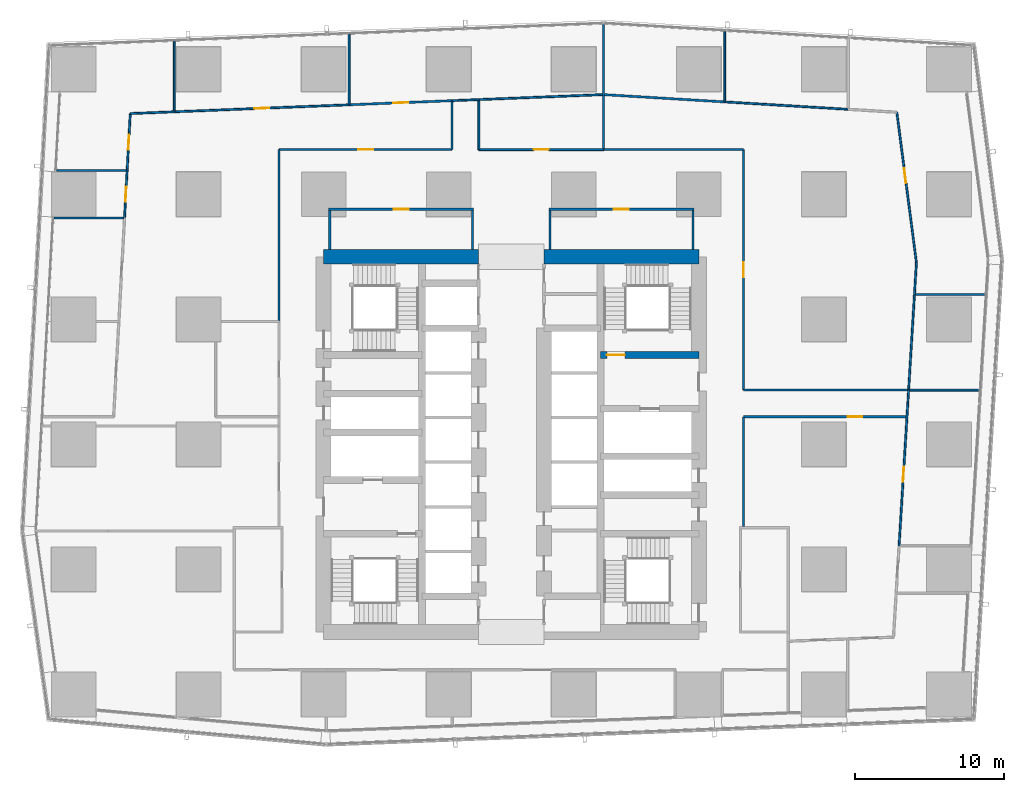
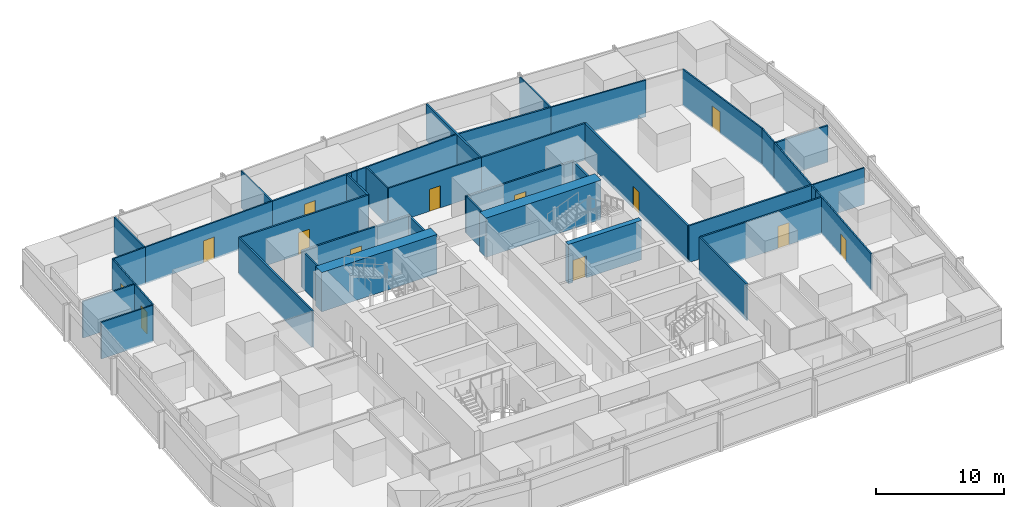
# One storey, part 31 of 39: 43 walls, 13 doors, 13 openings.
"""IFC4 building model written with IfcOpenShell, lengths in metres."""

from ifc_helpers import new_model, si_unit, direction, frame, frame_2d, origin, place, context, subcontext, project, spatial, rectangle, extrude, material, layer, layer_set, type_object, element, fill, save


model = new_model("IFC4")

# Units and contexts
model_context = context("Model", 3, precision=1e-05, world=origin(), true_north=direction((0.0, 1.0)))
body_context = subcontext(model_context, "Body", "Model", "MODEL_VIEW")
ifc_project = project(units=[si_unit("LENGTHUNIT", "METRE"), si_unit("AREAUNIT", "SQUARE_METRE"), si_unit("VOLUMEUNIT", "CUBIC_METRE"), si_unit("PLANEANGLEUNIT", "RADIAN"), si_unit("MASSUNIT", "GRAM", prefix="KILO")], contexts=[model_context])

# Site, building, storey
site_placement = place(None, origin())
site = spatial("IfcSite", under=ifc_project, at=site_placement, CompositionType="ELEMENT")
building_placement = place(site_placement, origin())
building = spatial("IfcBuilding", under=site, at=building_placement, Name="Rekha Terrace Tower", CompositionType="ELEMENT")
storey_placement = place(building_placement, frame((0.0, 0.0, 155.300048828125)))
storey = spatial("IfcBuildingStorey", under=building, at=storey_placement, Name="L39", CompositionType="ELEMENT", Elevation=155.300048828125)

# Wall, opening, door
ifc_material_1 = material(Name="Concrete M70", Category="concrete")
ifc_layer_1 = layer(ifc_material_1, 0.449951171875)
ifc_layer_set_1 = layer_set([ifc_layer_1], Name="Concrete M70")
wall_type_1 = type_object("IfcWallType", Name="CI2 450 core internal shear wall", PredefinedType="SHEAR", material=ifc_layer_set_1)
wall_1_placement = place(storey_placement, frame((43.800048828125, 39.60009765625, 0.0), z_axis=(0.0, 0.0, 1.0), x_axis=(1.0, 0.0, 0.0)))
wall_1 = element("IfcWall", 1, at=wall_1_placement, inside=storey, type_object=wall_type_1, Name="Core wall Y396E L39", PredefinedType="SHEAR", context=body_context, shape_type="SweptSolid", body=[
    extrude(rectangle(XDim=6.599853515625, YDim=0.449951171875, at=frame_2d((3.2998046875, 0.0))), origin(), (0.0, 0.0, 1.0), 3.75),
])
opening_1_placement = place(wall_1_placement, frame((0.425048828125, 0.0, 0.0)))
opening_1 = element("IfcOpeningElement", 2, at=opening_1_placement, cuts=wall_1, Name="Opening D1", PredefinedType="OPENING", context=body_context, shape_type="SweptSolid", body=[
    extrude(rectangle(XDim=1.199951171875, YDim=2.10009765625, at=frame_2d((0.60009765625, 1.050048828125))), frame((0.0, 0.23486328125, 0.0), z_axis=(0.0, -1.0, 0.0), x_axis=(1.0, 0.0, 0.0)), (0.0, 0.0, 1.0), 0.469970703125),
])
ifc_material_2 = material(Name="Steel fire door", Category="steel")
door_type_1 = type_object("IfcDoorType", Name="D1 1200x2100 stair fire door", OperationType="SINGLE_SWING_RIGHT", PredefinedType="DOOR", material=ifc_material_2)
door_1_placement = place(opening_1_placement, origin())
door_1 = element("IfcDoor", 3, at=door_1_placement, inside=storey, type_object=door_type_1, Name="Stair ST2 door L39", OperationType="SINGLE_SWING_RIGHT", OverallHeight=2.10009765625, OverallWidth=1.199951171875, PredefinedType="DOOR", context=body_context, shape_type="SweptSolid", body=[
    extrude(rectangle(XDim=1.199951171875, YDim=2.10009765625, at=frame_2d((0.60009765625, 1.050048828125))), frame((0.0, 0.02490234375, 0.0), z_axis=(0.0, -1.0, 0.0), x_axis=(1.0, 0.0, 0.0)), (0.0, 0.0, 1.0), 0.050048828125),
])
fill(opening_1, door_1)

# Walls
ifc_layer_2 = layer(ifc_material_1, 1.0)
ifc_layer_set_2 = layer_set([ifc_layer_2], Name="Concrete M70")
wall_type_2 = type_object("IfcWallType", Name="SW2 1000 core outer shear wall", PredefinedType="SHEAR", material=ifc_layer_set_2)
wall_2_placement = place(storey_placement, frame((25.199951171875, 46.199951171875, 0.0), z_axis=(0.0, 0.0, 1.0), x_axis=(1.0, 0.0, 0.0)))
element("IfcWall", 4, at=wall_2_placement, inside=storey, type_object=wall_type_2, Name="Core wall N1 L39", PredefinedType="SHEAR", context=body_context, shape_type="SweptSolid", body=[
    extrude(rectangle(XDim=10.400146484375, YDim=1.0, at=frame_2d((5.2001953125, 0.0))), origin(), (0.0, 0.0, 1.0), 3.75),
])
wall_3_placement = place(storey_placement, frame((40.0, 46.199951171875, 0.0), z_axis=(0.0, 0.0, 1.0), x_axis=(1.0, 0.0, 0.0)))
element("IfcWall", 5, at=wall_3_placement, inside=storey, type_object=wall_type_2, Name="Core wall N2 L39", PredefinedType="SHEAR", context=body_context, shape_type="SweptSolid", body=[
    extrude(rectangle(XDim=10.39990234375, YDim=1.0, at=frame_2d((5.199951171875, 0.0))), origin(), (0.0, 0.0, 1.0), 3.75),
])

# Wall, opening, door
ifc_material_3 = material(Name="Concrete block masonry, 1 hour", Category="masonry")
ifc_layer_3 = layer(ifc_material_3, 0.14990234375)
ifc_layer_set_3 = layer_set([ifc_layer_3], Name="Concrete block masonry, 1 hour")
wall_type_3 = type_object("IfcWallType", Name="WP2 150 tenancy partition", PredefinedType="PARTITIONING", material=ifc_layer_set_3)
wall_4_placement = place(storey_placement, frame((40.324951171875, 49.39990234375, 0.0), z_axis=(0.0, 0.0, 1.0), x_axis=(1.0, 0.0, 0.0)))
wall_4 = element("IfcWall", 6, at=wall_4_placement, inside=storey, type_object=wall_type_3, Name="Women's WC wall L39", PredefinedType="PARTITIONING", context=body_context, shape_type="SweptSolid", body=[
    extrude(rectangle(XDim=9.75, YDim=0.14990234375, at=frame_2d((4.875, 0.0))), origin(), (0.0, 0.0, 1.0), 3.5),
])
opening_2_placement = place(wall_4_placement, frame((4.375, 0.0, 0.0)))
opening_2 = element("IfcOpeningElement", 7, at=opening_2_placement, cuts=wall_4, Name="Opening D3", PredefinedType="OPENING", context=body_context, shape_type="SweptSolid", body=[
    extrude(rectangle(XDim=1.0, YDim=2.10009765625, at=frame_2d((0.5, 1.050048828125))), frame((0.0, 0.0849609375, 0.0), z_axis=(0.0, -1.0, 0.0), x_axis=(1.0, 0.0, 0.0)), (0.0, 0.0, 1.0), 0.169921875),
])
ifc_material_4 = material(Name="Laminated timber fire door", Category="wood")
door_type_2 = type_object("IfcDoorType", Name="D3 1000x2100 WC door", OperationType="SINGLE_SWING_LEFT", PredefinedType="DOOR", material=ifc_material_4)
door_2_placement = place(opening_2_placement, origin())
door_2 = element("IfcDoor", 8, at=door_2_placement, inside=storey, type_object=door_type_2, Name="Door women's wc L39", OperationType="SINGLE_SWING_LEFT", OverallHeight=2.10009765625, OverallWidth=1.0, PredefinedType="DOOR", context=body_context, shape_type="SweptSolid", body=[
    extrude(rectangle(XDim=1.0, YDim=2.10009765625, at=frame_2d((0.5, 1.050048828125))), frame((0.0, 0.02490234375, 0.0), z_axis=(0.0, -1.0, 0.0), x_axis=(1.0, 0.0, 0.0)), (0.0, 0.0, 1.0), 0.050048828125),
])
fill(opening_2, door_2)

# Walls
for number, where, z_axis, x_axis, name in (
    (9, (40.39990234375, 46.699951171875, 0.0), (0.0, 0.0, 1.0), (0.0, 1.0, 0.0), "Women's WC wall L39"),
    (10, (50.0, 46.699951171875, 0.0), (0.0, 0.0, 1.0), (0.0, 1.0, 0.0), "Women's WC wall L39"),
):
    element("IfcWall", number, at=place(storey_placement, frame(where, z_axis=z_axis, x_axis=x_axis)), inside=storey, type_object=wall_type_3, Name=name, PredefinedType="PARTITIONING", context=body_context, shape_type="SweptSolid", body=[
        extrude(rectangle(XDim=2.625, YDim=0.14990234375, at=frame_2d((1.3125, 0.0))), origin(), (0.0, 0.0, 1.0), 3.5),
    ])

# Wall, opening, door
wall_5_placement = place(storey_placement, frame((25.52490234375, 49.39990234375, 0.0), z_axis=(0.0, 0.0, 1.0), x_axis=(1.0, 0.0, 0.0)))
wall_5 = element("IfcWall", 11, at=wall_5_placement, inside=storey, type_object=wall_type_3, Name="Women's WC wall L39", PredefinedType="PARTITIONING", context=body_context, shape_type="SweptSolid", body=[
    extrude(rectangle(XDim=9.75, YDim=0.14990234375, at=frame_2d((4.875, 0.0))), origin(), (0.0, 0.0, 1.0), 3.5),
])
opening_3_placement = place(wall_5_placement, frame((4.375, 0.0, 0.0)))
opening_3 = element("IfcOpeningElement", 12, at=opening_3_placement, cuts=wall_5, Name="Opening D3", PredefinedType="OPENING", context=body_context, shape_type="SweptSolid", body=[
    extrude(rectangle(XDim=1.0, YDim=2.10009765625, at=frame_2d((0.5, 1.050048828125))), frame((0.0, 0.0849609375, 0.0), z_axis=(0.0, -1.0, 0.0), x_axis=(1.0, 0.0, 0.0)), (0.0, 0.0, 1.0), 0.169921875),
])
door_3_placement = place(opening_3_placement, origin())
door_3 = element("IfcDoor", 13, at=door_3_placement, inside=storey, type_object=door_type_2, Name="Door women's wc L39", OperationType="SINGLE_SWING_LEFT", OverallHeight=2.10009765625, OverallWidth=1.0, PredefinedType="DOOR", context=body_context, shape_type="SweptSolid", body=[
    extrude(rectangle(XDim=1.0, YDim=2.10009765625, at=frame_2d((0.5, 1.050048828125))), frame((0.0, 0.02490234375, 0.0), z_axis=(0.0, -1.0, 0.0), x_axis=(1.0, 0.0, 0.0)), (0.0, 0.0, 1.0), 0.050048828125),
])
fill(opening_3, door_3)

# Walls
for number, where, z_axis, x_axis, name in (
    (14, (25.60009765625, 46.699951171875, 0.0), (0.0, 0.0, 1.0), (0.0, 1.0, 0.0), "Women's WC wall L39"),
    (15, (35.199951171875, 46.699951171875, 0.0), (0.0, 0.0, 1.0), (0.0, 1.0, 0.0), "Women's WC wall L39"),
):
    element("IfcWall", number, at=place(storey_placement, frame(where, z_axis=z_axis, x_axis=x_axis)), inside=storey, type_object=wall_type_3, Name=name, PredefinedType="PARTITIONING", context=body_context, shape_type="SweptSolid", body=[
        extrude(rectangle(XDim=2.625, YDim=0.14990234375, at=frame_2d((1.3125, 0.0))), origin(), (0.0, 0.0, 1.0), 3.5),
    ])
wall_6_placement = place(storey_placement, frame((64.947998046875, 43.660888671875, 0.0), z_axis=(0.0, 0.0, 1.0), x_axis=(1.0, 0.0, 0.0)))
element("IfcWall", 16, at=wall_6_placement, inside=storey, type_object=wall_type_3, Name="Partition L39-O1", PredefinedType="PARTITIONING", context=body_context, shape_type="SweptSolid", body=[
    extrude(rectangle(XDim=4.696044921875, YDim=0.14990234375, at=frame_2d((2.34814453125, 0.0))), origin(), (0.0, 0.0, 1.0), 3.5),
])
wall_7_placement = place(storey_placement, frame((64.443115234375, 37.2470703125, 0.0), z_axis=(0.0, 0.0, 1.0), x_axis=(-1.0, 0.0, 0.0)))
element("IfcWall", 17, at=wall_7_placement, inside=storey, type_object=wall_type_3, Name="Partition L39-O1", PredefinedType="PARTITIONING", context=body_context, shape_type="SweptSolid", body=[
    extrude(rectangle(XDim=11.043212890625, YDim=0.14990234375, at=frame_2d((5.521484375, 0.0))), origin(), (0.0, 0.0, 1.0), 3.5),
])

# Wall, opening, door
wall_8_placement = place(storey_placement, frame((53.39990234375, 37.2470703125, 0.0), z_axis=(0.0, 0.0, 1.0), x_axis=(0.0, 1.0, 0.0)))
wall_8 = element("IfcWall", 18, at=wall_8_placement, inside=storey, type_object=wall_type_3, Name="Partition L39-O1", PredefinedType="PARTITIONING", context=body_context, shape_type="SweptSolid", body=[
    extrude(rectangle(XDim=16.15283203125, YDim=0.14990234375, at=frame_2d((8.076416015625, 0.0))), origin(), (0.0, 0.0, 1.0), 3.5),
])
opening_4_placement = place(wall_8_placement, frame((7.575927734375, 0.0, 0.0)))
opening_4 = element("IfcOpeningElement", 19, at=opening_4_placement, cuts=wall_8, Name="Opening D9", PredefinedType="OPENING", context=body_context, shape_type="SweptSolid", body=[
    extrude(rectangle(XDim=1.0, YDim=2.10009765625, at=frame_2d((0.5, 1.050048828125))), frame((0.0, 0.0849609375, 0.0), z_axis=(0.0, -1.0, 0.0), x_axis=(1.0, 0.0, 0.0)), (0.0, 0.0, 1.0), 0.169921875),
])
ifc_material_5 = material(Name="Timber fire door", Category="wood")
door_type_3 = type_object("IfcDoorType", Name="D9 1000x2100 office door", OperationType="SINGLE_SWING_LEFT", PredefinedType="DOOR", material=ifc_material_5)
door_4_placement = place(opening_4_placement, origin())
door_4 = element("IfcDoor", 20, at=door_4_placement, inside=storey, type_object=door_type_3, Name="Door open-plan office L39", OperationType="SINGLE_SWING_LEFT", OverallHeight=2.10009765625, OverallWidth=1.0, PredefinedType="DOOR", context=body_context, shape_type="SweptSolid", body=[
    extrude(rectangle(XDim=1.0, YDim=2.10009765625, at=frame_2d((0.5, 1.050048828125))), frame((0.0, 0.02490234375, 0.0), z_axis=(0.0, -1.0, 0.0), x_axis=(1.0, 0.0, 0.0)), (0.0, 0.0, 1.0), 0.050048828125),
])
fill(opening_4, door_4)

# Walls
wall_9_placement = place(storey_placement, frame((53.39990234375, 53.39990234375, 0.0), z_axis=(0.0, 0.0, 1.0), x_axis=(-1.0, 0.0, 0.0)))
element("IfcWall", 21, at=wall_9_placement, inside=storey, type_object=wall_type_3, Name="Partition L39-O1", PredefinedType="PARTITIONING", context=body_context, shape_type="SweptSolid", body=[
    extrude(rectangle(XDim=9.39697265625, YDim=0.14990234375, at=frame_2d((4.698486328125, 0.0))), origin(), (0.0, 0.0, 1.0), 3.5),
])
wall_10_placement = place(storey_placement, frame((44.0029296875, 53.39990234375, 0.0), z_axis=(0.0, 0.0, 1.0), x_axis=(0.0, 1.0, 0.0)))
element("IfcWall", 22, at=wall_10_placement, inside=storey, type_object=wall_type_3, Name="Partition L39-O1", PredefinedType="PARTITIONING", context=body_context, shape_type="SweptSolid", body=[
    extrude(rectangle(XDim=8.419189453125, YDim=0.14990234375, at=frame_2d((4.20947265625, 0.0))), origin(), (0.0, 0.0, 1.0), 3.5),
])
wall_11_placement = place(storey_placement, frame((44.077880859375, 57.089111328125, 0.0), z_axis=(0.0, 0.0, 1.0), x_axis=(0.998195111132, -0.060054309681, 0.0)))
element("IfcWall", 23, at=wall_11_placement, inside=storey, type_object=wall_type_3, Name="Partition L39-O1", PredefinedType="PARTITIONING", context=body_context, shape_type="SweptSolid", body=[
    extrude(rectangle(XDim=8.077880859375, YDim=0.14990234375, at=frame_2d((4.0390625, 0.0))), origin(), (0.0, 0.0, 1.0), 3.5),
])
wall_12_placement = place(storey_placement, frame((53.39990234375, 28.074951171875, 0.0), z_axis=(0.0, 0.0, 1.0), x_axis=(0.0, 1.0, 0.0)))
element("IfcWall", 24, at=wall_12_placement, inside=storey, type_object=wall_type_3, Name="Partition L39-O1b", PredefinedType="PARTITIONING", context=body_context, shape_type="SweptSolid", body=[
    extrude(rectangle(XDim=7.3720703125, YDim=0.14990234375, at=frame_2d((3.68603515625, 0.0))), origin(), (0.0, 0.0, 1.0), 3.5),
])

# Wall, opening, door
wall_13_placement = place(storey_placement, frame((53.39990234375, 35.447021484375, 0.0), z_axis=(0.0, 0.0, 1.0), x_axis=(1.0, 0.0, 0.0)))
wall_13 = element("IfcWall", 25, at=wall_13_placement, inside=storey, type_object=wall_type_3, Name="Partition L39-O1b", PredefinedType="PARTITIONING", context=body_context, shape_type="SweptSolid", body=[
    extrude(rectangle(XDim=10.920166015625, YDim=0.14990234375, at=frame_2d((5.4599609375, 0.0))), origin(), (0.0, 0.0, 1.0), 3.5),
])
opening_5_placement = place(wall_13_placement, frame((6.990966796875, 0.0, 0.0)))
opening_5 = element("IfcOpeningElement", 26, at=opening_5_placement, cuts=wall_13, Name="Opening D9", PredefinedType="OPENING", context=body_context, shape_type="SweptSolid", body=[
    extrude(rectangle(XDim=1.0, YDim=2.10009765625, at=frame_2d((0.5, 1.050048828125))), frame((0.0, 0.0849609375, 0.0), z_axis=(0.0, -1.0, 0.0), x_axis=(1.0, 0.0, 0.0)), (0.0, 0.0, 1.0), 0.169921875),
])
door_5_placement = place(opening_5_placement, origin())
door_5 = element("IfcDoor", 27, at=door_5_placement, inside=storey, type_object=door_type_3, Name="Door open-plan office L39", OperationType="SINGLE_SWING_LEFT", OverallHeight=2.10009765625, OverallWidth=1.0, PredefinedType="DOOR", context=body_context, shape_type="SweptSolid", body=[
    extrude(rectangle(XDim=1.0, YDim=2.10009765625, at=frame_2d((0.5, 1.050048828125))), frame((0.0, 0.02490234375, 0.0), z_axis=(0.0, -1.0, 0.0), x_axis=(1.0, 0.0, 0.0)), (0.0, 0.0, 1.0), 0.050048828125),
])
fill(opening_5, door_5)

wall_14_placement = place(storey_placement, frame((26.906982421875, 56.409912109375, 0.0), z_axis=(0.0, 0.0, 1.0), x_axis=(0.999198986238, 0.04001732002, 0.0)))
wall_14 = element("IfcWall", 28, at=wall_14_placement, inside=storey, type_object=wall_type_3, Name="Partition L39-O2", PredefinedType="PARTITIONING", context=body_context, shape_type="SweptSolid", body=[
    extrude(rectangle(XDim=6.924560546875, YDim=0.14990234375, at=frame_2d((3.46240234375, 0.0))), origin(), (0.0, 0.0, 1.0), 3.5),
])
opening_6_placement = place(wall_14_placement, frame((2.9619140625, 0.0, 0.0)))
opening_6 = element("IfcOpeningElement", 29, at=opening_6_placement, cuts=wall_14, Name="Opening D9", PredefinedType="OPENING", context=body_context, shape_type="SweptSolid", body=[
    extrude(rectangle(XDim=1.0, YDim=2.10009765625, at=frame_2d((0.5, 1.050048828125))), frame((0.0, 0.0849609375, 0.0), z_axis=(0.0, -1.0, 0.0), x_axis=(1.0, 0.0, 0.0)), (0.0, 0.0, 1.0), 0.169921875),
])
door_6_placement = place(opening_6_placement, origin())
door_6 = element("IfcDoor", 30, at=door_6_placement, inside=storey, type_object=door_type_3, Name="Door office L39", OperationType="SINGLE_SWING_LEFT", OverallHeight=2.10009765625, OverallWidth=1.0, PredefinedType="DOOR", context=body_context, shape_type="SweptSolid", body=[
    extrude(rectangle(XDim=1.0, YDim=2.10009765625, at=frame_2d((0.5, 1.050048828125))), frame((0.0, 0.02490234375, 0.0), z_axis=(0.0, -1.0, 0.0), x_axis=(1.0, 0.0, 0.0)), (0.0, 0.0, 1.0), 0.050048828125),
])
fill(opening_6, door_6)

# Wall
wall_15_placement = place(storey_placement, frame((33.825927734375, 56.68701171875, 0.0), z_axis=(0.0, 0.0, 1.0), x_axis=(0.0, -1.0, 0.0)))
element("IfcWall", 31, at=wall_15_placement, inside=storey, type_object=wall_type_3, Name="Partition L39-O2", PredefinedType="PARTITIONING", context=body_context, shape_type="SweptSolid", body=[
    extrude(rectangle(XDim=3.287109375, YDim=0.14990234375, at=frame_2d((1.6435546875, 0.0))), origin(), (0.0, 0.0, 1.0), 3.5),
])

# Wall, opening, door
wall_16_placement = place(storey_placement, frame((33.825927734375, 53.39990234375, 0.0), z_axis=(0.0, 0.0, 1.0), x_axis=(-1.0, 0.0, 0.0)))
wall_16 = element("IfcWall", 32, at=wall_16_placement, inside=storey, type_object=wall_type_3, Name="Partition L39-O2", PredefinedType="PARTITIONING", context=body_context, shape_type="SweptSolid", body=[
    extrude(rectangle(XDim=11.6259765625, YDim=0.14990234375, at=frame_2d((5.81298828125, 0.0))), origin(), (0.0, 0.0, 1.0), 3.5),
])
opening_7_placement = place(wall_16_placement, frame((5.31298828125, 0.0, 0.0)))
opening_7 = element("IfcOpeningElement", 33, at=opening_7_placement, cuts=wall_16, Name="Opening D9", PredefinedType="OPENING", context=body_context, shape_type="SweptSolid", body=[
    extrude(rectangle(XDim=1.0, YDim=2.10009765625, at=frame_2d((0.5, 1.050048828125))), frame((0.0, 0.0849609375, 0.0), z_axis=(0.0, -1.0, 0.0), x_axis=(1.0, 0.0, 0.0)), (0.0, 0.0, 1.0), 0.169921875),
])
door_7_placement = place(opening_7_placement, origin())
door_7 = element("IfcDoor", 34, at=door_7_placement, inside=storey, type_object=door_type_3, Name="Door open-plan office L39", OperationType="SINGLE_SWING_LEFT", OverallHeight=2.10009765625, OverallWidth=1.0, PredefinedType="DOOR", context=body_context, shape_type="SweptSolid", body=[
    extrude(rectangle(XDim=1.0, YDim=2.10009765625, at=frame_2d((0.5, 1.050048828125))), frame((0.0, 0.02490234375, 0.0), z_axis=(0.0, -1.0, 0.0), x_axis=(1.0, 0.0, 0.0)), (0.0, 0.0, 1.0), 0.050048828125),
])
fill(opening_7, door_7)

# Walls
wall_17_placement = place(storey_placement, frame((22.199951171875, 53.39990234375, 0.0), z_axis=(0.0, 0.0, 1.0), x_axis=(0.0, -1.0, 0.0)))
element("IfcWall", 35, at=wall_17_placement, inside=storey, type_object=wall_type_3, Name="Partition L39-O2", PredefinedType="PARTITIONING", context=body_context, shape_type="SweptSolid", body=[
    extrude(rectangle(XDim=11.544921875, YDim=0.14990234375, at=frame_2d((5.7724609375, 0.0))), origin(), (0.0, 0.0, 1.0), 3.5),
])
ifc_material_6 = material(Name="Two layers of fire-rated gypsum board each side on steel studs, acoustic quilt, 1 hour", Category="steel")
ifc_layer_4 = layer(ifc_material_6, 0.125)
ifc_layer_set_4 = layer_set([ifc_layer_4], Name="Two layers of fire-rated gypsum board each side on steel studs, acoustic quilt, 1 hour")
wall_type_4 = type_object("IfcWallType", Name="WP3 125 office partition", PredefinedType="PARTITIONING", material=ifc_layer_set_4)
wall_18_placement = place(storey_placement, frame((64.491943359375, 37.242919921875, 0.0), z_axis=(0.0, 0.0, 1.0), x_axis=(1.0, 0.0, 0.0)))
element("IfcWall", 36, at=wall_18_placement, inside=storey, type_object=wall_type_4, Name="Partition L39-07", PredefinedType="PARTITIONING", context=body_context, shape_type="SweptSolid", body=[
    extrude(rectangle(XDim=4.72900390625, YDim=0.125, at=frame_2d((2.364501953125, 0.0))), origin(), (0.0, 0.0, 1.0), 3.5),
])

# Wall, opening, door
wall_19_placement = place(storey_placement, frame((63.85009765625, 26.756103515625, 0.0), z_axis=(0.0, 0.0, 1.0), x_axis=(0.061135650065, 0.998129466698, 0.0)))
wall_19 = element("IfcWall", 37, at=wall_19_placement, inside=storey, type_object=wall_type_4, Name="Partition L39-07", PredefinedType="PARTITIONING", context=body_context, shape_type="SweptSolid", body=[
    extrude(rectangle(XDim=9.699951171875, YDim=0.125, at=frame_2d((4.85009765625, 0.0))), origin(), (0.0, 0.0, 1.0), 3.5),
])
opening_8_placement = place(wall_19_placement, frame((4.35009765625, 0.0, 0.0)))
opening_8 = element("IfcOpeningElement", 38, at=opening_8_placement, cuts=wall_19, Name="Opening D9", PredefinedType="OPENING", context=body_context, shape_type="SweptSolid", body=[
    extrude(rectangle(XDim=1.0, YDim=2.10009765625, at=frame_2d((0.5, 1.050048828125))), frame((0.0, 0.072509765625, 0.0), z_axis=(0.0, -1.0, 0.0), x_axis=(1.0, 0.0, 0.0)), (0.0, 0.0, 1.0), 0.14501953125),
])
door_8_placement = place(opening_8_placement, origin())
door_8 = element("IfcDoor", 39, at=door_8_placement, inside=storey, type_object=door_type_3, Name="Door office L39", OperationType="SINGLE_SWING_LEFT", OverallHeight=2.10009765625, OverallWidth=1.0, PredefinedType="DOOR", context=body_context, shape_type="SweptSolid", body=[
    extrude(rectangle(XDim=1.0, YDim=2.10009765625, at=frame_2d((0.5, 1.050048828125))), frame((0.0, 0.02490234375, 0.0), z_axis=(0.0, -1.0, 0.0), x_axis=(1.0, 0.0, 0.0)), (0.0, 0.0, 1.0), 0.050048828125),
])
fill(opening_8, door_8)

# Walls
wall_20_placement = place(storey_placement, frame((64.443115234375, 36.43798828125, 0.0), z_axis=(0.0, 0.0, 1.0), x_axis=(0.060549904231, 0.998165171251, 0.0)))
element("IfcWall", 40, at=wall_20_placement, inside=storey, type_object=wall_type_4, Name="Partition L39-07", PredefinedType="PARTITIONING", context=body_context, shape_type="SweptSolid", body=[
    extrude(rectangle(XDim=0.806396484375, YDim=0.125, at=frame_2d((0.4033203125, 0.0))), origin(), (0.0, 0.0, 1.0), 3.5),
])
wall_21_placement = place(storey_placement, frame((64.491943359375, 37.243896484375, 0.0), z_axis=(0.0, 0.0, 1.0), x_axis=(0.061157948018, 0.998128100694, 0.0)))
element("IfcWall", 41, at=wall_21_placement, inside=storey, type_object=wall_type_4, Name="Partition L39-08", PredefinedType="PARTITIONING", context=body_context, shape_type="SweptSolid", body=[
    extrude(rectangle(XDim=6.427001953125, YDim=0.125, at=frame_2d((3.21337890625, 0.0))), origin(), (0.0, 0.0, 1.0), 3.5),
])
wall_22_placement = place(storey_placement, frame((64.885009765625, 43.658935546875, 0.0), z_axis=(0.0, 0.0, 1.0), x_axis=(0.061375322118, 0.998114757848, 0.0)))
element("IfcWall", 42, at=wall_22_placement, inside=storey, type_object=wall_type_4, Name="Partition L39-08", PredefinedType="PARTITIONING", context=body_context, shape_type="SweptSolid", body=[
    extrude(rectangle(XDim=2.152099609375, YDim=0.125, at=frame_2d((1.076171875, 0.0))), origin(), (0.0, 0.0, 1.0), 3.5),
])

# Wall, opening, door
wall_23_placement = place(storey_placement, frame((65.01708984375, 45.806884765625, 0.0), z_axis=(0.0, 0.0, 1.0), x_axis=(-0.129182445585, 0.991620842738, 0.0)))
wall_23 = element("IfcWall", 43, at=wall_23_placement, inside=storey, type_object=wall_type_4, Name="Partition L39-08", PredefinedType="PARTITIONING", context=body_context, shape_type="SweptSolid", body=[
    extrude(rectangle(XDim=10.1884765625, YDim=0.125, at=frame_2d((5.09423828125, 0.0))), origin(), (0.0, 0.0, 1.0), 3.5),
])
opening_9_placement = place(wall_23_placement, frame((5.39404296875, 0.0, 0.0)))
opening_9 = element("IfcOpeningElement", 44, at=opening_9_placement, cuts=wall_23, Name="Opening D9", PredefinedType="OPENING", context=body_context, shape_type="SweptSolid", body=[
    extrude(rectangle(XDim=1.0, YDim=2.10009765625, at=frame_2d((0.5, 1.050048828125))), frame((0.0, 0.072509765625, 0.0), z_axis=(0.0, -1.0, 0.0), x_axis=(1.0, 0.0, 0.0)), (0.0, 0.0, 1.0), 0.14501953125),
])
door_9_placement = place(opening_9_placement, origin())
door_9 = element("IfcDoor", 45, at=door_9_placement, inside=storey, type_object=door_type_3, Name="Door director's office L39", OperationType="SINGLE_SWING_LEFT", OverallHeight=2.10009765625, OverallWidth=1.0, PredefinedType="DOOR", context=body_context, shape_type="SweptSolid", body=[
    extrude(rectangle(XDim=1.0, YDim=2.10009765625, at=frame_2d((0.5, 1.050048828125))), frame((0.0, 0.02490234375, 0.0), z_axis=(0.0, -1.0, 0.0), x_axis=(1.0, 0.0, 0.0)), (0.0, 0.0, 1.0), 0.050048828125),
])
fill(opening_9, door_9)

# Walls
wall_24_placement = place(storey_placement, frame((60.43505859375, 56.10595703125, 0.0), z_axis=(0.0, 0.0, 1.0), x_axis=(-0.998201470698, 0.059948510369, 0.0)))
element("IfcWall", 46, at=wall_24_placement, inside=storey, type_object=wall_type_4, Name="Partition L39-08", PredefinedType="PARTITIONING", context=body_context, shape_type="SweptSolid", body=[
    extrude(rectangle(XDim=8.307861328125, YDim=0.125, at=frame_2d((4.15380859375, 0.0))), origin(), (0.0, 0.0, 1.0), 3.5),
])
wall_25_placement = place(storey_placement, frame((52.14208984375, 56.60400390625, 0.0), z_axis=(0.0, 0.0, 1.0), x_axis=(0.0, 1.0, 0.0)))
element("IfcWall", 47, at=wall_25_placement, inside=storey, type_object=wall_type_4, Name="Partition L39-08", PredefinedType="PARTITIONING", context=body_context, shape_type="SweptSolid", body=[
    extrude(rectangle(XDim=4.72900390625, YDim=0.125, at=frame_2d((2.364501953125, 0.0))), origin(), (0.0, 0.0, 1.0), 3.5),
])
wall_26_placement = place(storey_placement, frame((26.906005859375, 61.1630859375, 0.0), z_axis=(0.0, 0.0, 1.0), x_axis=(0.0, -1.0, 0.0)))
element("IfcWall", 48, at=wall_26_placement, inside=storey, type_object=wall_type_4, Name="Partition L39-13", PredefinedType="PARTITIONING", context=body_context, shape_type="SweptSolid", body=[
    extrude(rectangle(XDim=4.753173828125, YDim=0.125, at=frame_2d((2.37646484375, 0.0))), origin(), (0.0, 0.0, 1.0), 3.5),
])

# Wall, opening, door
wall_27_placement = place(storey_placement, frame((26.906005859375, 56.409912109375, 0.0), z_axis=(0.0, 0.0, 1.0), x_axis=(-0.999196371501, -0.04008255455, 0.0)))
wall_27 = element("IfcWall", 49, at=wall_27_placement, inside=storey, type_object=wall_type_4, Name="Partition L39-13", PredefinedType="PARTITIONING", context=body_context, shape_type="SweptSolid", body=[
    extrude(rectangle(XDim=11.74951171875, YDim=0.125, at=frame_2d((5.874755859375, 0.0))), origin(), (0.0, 0.0, 1.0), 3.5),
])
opening_10_placement = place(wall_27_placement, frame((5.375, 0.0, 0.0)))
opening_10 = element("IfcOpeningElement", 50, at=opening_10_placement, cuts=wall_27, Name="Opening D9", PredefinedType="OPENING", context=body_context, shape_type="SweptSolid", body=[
    extrude(rectangle(XDim=1.0, YDim=2.10009765625, at=frame_2d((0.5, 1.050048828125))), frame((0.0, 0.072509765625, 0.0), z_axis=(0.0, -1.0, 0.0), x_axis=(1.0, 0.0, 0.0)), (0.0, 0.0, 1.0), 0.14501953125),
])
door_10_placement = place(opening_10_placement, origin())
door_10 = element("IfcDoor", 51, at=door_10_placement, inside=storey, type_object=door_type_3, Name="Door office L39", OperationType="SINGLE_SWING_LEFT", OverallHeight=2.10009765625, OverallWidth=1.0, PredefinedType="DOOR", context=body_context, shape_type="SweptSolid", body=[
    extrude(rectangle(XDim=1.0, YDim=2.10009765625, at=frame_2d((0.5, 1.050048828125))), frame((0.0, 0.02490234375, 0.0), z_axis=(0.0, -1.0, 0.0), x_axis=(1.0, 0.0, 0.0)), (0.0, 0.0, 1.0), 0.050048828125),
])
fill(opening_10, door_10)

# Walls
wall_28_placement = place(storey_placement, frame((15.166015625, 55.93896484375, 0.0), z_axis=(0.0, 0.0, 1.0), x_axis=(0.0, 1.0, 0.0)))
element("IfcWall", 52, at=wall_28_placement, inside=storey, type_object=wall_type_4, Name="Partition L39-13", PredefinedType="PARTITIONING", context=body_context, shape_type="SweptSolid", body=[
    extrude(rectangle(XDim=4.72412109375, YDim=0.125, at=frame_2d((2.362060546875, 0.0))), origin(), (0.0, 0.0, 1.0), 3.5),
])
wall_29_placement = place(storey_placement, frame((11.93408203125, 51.991943359375, 0.0), z_axis=(0.0, 0.0, 1.0), x_axis=(-1.0, 0.0, 0.0)))
element("IfcWall", 53, at=wall_29_placement, inside=storey, type_object=wall_type_4, Name="Partition L39-14", PredefinedType="PARTITIONING", context=body_context, shape_type="SweptSolid", body=[
    extrude(rectangle(XDim=4.6640625, YDim=0.125, at=frame_2d((2.33203125, 0.0))), origin(), (0.0, 0.0, 1.0), 3.5),
])
wall_30_placement = place(storey_placement, frame((15.1650390625, 55.93896484375, 0.0), z_axis=(0.0, 0.0, 1.0), x_axis=(-0.999206350986, -0.039833003262, 0.0)))
element("IfcWall", 54, at=wall_30_placement, inside=storey, type_object=wall_type_4, Name="Partition L39-14", PredefinedType="PARTITIONING", context=body_context, shape_type="SweptSolid", body=[
    extrude(rectangle(XDim=2.96044921875, YDim=0.125, at=frame_2d((1.480224609375, 0.0))), origin(), (0.0, 0.0, 1.0), 3.5),
])

# Wall, opening, door
wall_31_placement = place(storey_placement, frame((12.20703125, 55.821044921875, 0.0), z_axis=(0.0, 0.0, 1.0), x_axis=(-0.054774500105, -0.998498750194, 0.0)))
wall_31 = element("IfcWall", 55, at=wall_31_placement, inside=storey, type_object=wall_type_4, Name="Partition L39-14", PredefinedType="PARTITIONING", context=body_context, shape_type="SweptSolid", body=[
    extrude(rectangle(XDim=3.868896484375, YDim=0.125, at=frame_2d((1.9345703125, 0.0))), origin(), (0.0, 0.0, 1.0), 3.5),
])
opening_11_placement = place(wall_31_placement, frame((1.43408203125, 0.0, 0.0)))
opening_11 = element("IfcOpeningElement", 56, at=opening_11_placement, cuts=wall_31, Name="Opening D9", PredefinedType="OPENING", context=body_context, shape_type="SweptSolid", body=[
    extrude(rectangle(XDim=1.0, YDim=2.10009765625, at=frame_2d((0.5, 1.050048828125))), frame((0.0, 0.072509765625, 0.0), z_axis=(0.0, -1.0, 0.0), x_axis=(1.0, 0.0, 0.0)), (0.0, 0.0, 1.0), 0.14501953125),
])
door_11_placement = place(opening_11_placement, origin())
door_11 = element("IfcDoor", 57, at=door_11_placement, inside=storey, type_object=door_type_3, Name="Door director's office L39", OperationType="SINGLE_SWING_LEFT", OverallHeight=2.10009765625, OverallWidth=1.0, PredefinedType="DOOR", context=body_context, shape_type="SweptSolid", body=[
    extrude(rectangle(XDim=1.0, YDim=2.10009765625, at=frame_2d((0.5, 1.050048828125))), frame((0.0, 0.02490234375, 0.0), z_axis=(0.0, -1.0, 0.0), x_axis=(1.0, 0.0, 0.0)), (0.0, 0.0, 1.0), 0.050048828125),
])
fill(opening_11, door_11)

wall_32_placement = place(storey_placement, frame((11.9951171875, 51.95703125, 0.0), z_axis=(0.0, 0.0, 1.0), x_axis=(-0.05487602635, -0.998493175606, 0.0)))
wall_32 = element("IfcWall", 58, at=wall_32_placement, inside=storey, type_object=wall_type_4, Name="Partition L39-15", PredefinedType="PARTITIONING", context=body_context, shape_type="SweptSolid", body=[
    extrude(rectangle(XDim=3.11865234375, YDim=0.125, at=frame_2d((1.559326171875, 0.0))), origin(), (0.0, 0.0, 1.0), 3.5),
])
opening_12_placement = place(wall_32_placement, frame((1.05908203125, 0.0, 0.0)))
opening_12 = element("IfcOpeningElement", 59, at=opening_12_placement, cuts=wall_32, Name="Opening D9", PredefinedType="OPENING", context=body_context, shape_type="SweptSolid", body=[
    extrude(rectangle(XDim=1.0, YDim=2.10009765625, at=frame_2d((0.5, 1.050048828125))), frame((0.0, 0.072509765625, 0.0), z_axis=(0.0, -1.0, 0.0), x_axis=(1.0, 0.0, 0.0)), (0.0, 0.0, 1.0), 0.14501953125),
])
door_12_placement = place(opening_12_placement, origin())
door_12 = element("IfcDoor", 60, at=door_12_placement, inside=storey, type_object=door_type_3, Name="Door office L39", OperationType="SINGLE_SWING_LEFT", OverallHeight=2.10009765625, OverallWidth=1.0, PredefinedType="DOOR", context=body_context, shape_type="SweptSolid", body=[
    extrude(rectangle(XDim=1.0, YDim=2.10009765625, at=frame_2d((0.5, 1.050048828125))), frame((0.0, 0.02490234375, 0.0), z_axis=(0.0, -1.0, 0.0), x_axis=(1.0, 0.0, 0.0)), (0.0, 0.0, 1.0), 0.050048828125),
])
fill(opening_12, door_12)

# Walls
wall_33_placement = place(storey_placement, frame((11.759033203125, 48.806884765625, 0.0), z_axis=(0.0, 0.0, 1.0), x_axis=(-1.0, 0.0, 0.0)))
element("IfcWall", 61, at=wall_33_placement, inside=storey, type_object=wall_type_4, Name="Partition L39-15", PredefinedType="PARTITIONING", context=body_context, shape_type="SweptSolid", body=[
    extrude(rectangle(XDim=4.6640625, YDim=0.125, at=frame_2d((2.33203125, 0.0))), origin(), (0.0, 0.0, 1.0), 3.5),
])
wall_34_placement = place(storey_placement, frame((43.927978515625, 57.092041015625, 0.0), z_axis=(0.0, 0.0, 1.0), x_axis=(-0.999196493298, -0.040079518214, 0.0)))
element("IfcWall", 62, at=wall_34_placement, inside=storey, type_object=wall_type_4, Name="Partition L39-19", PredefinedType="PARTITIONING", context=body_context, shape_type="SweptSolid", body=[
    extrude(rectangle(XDim=8.30859375, YDim=0.125, at=frame_2d((4.154296875, 0.0))), origin(), (0.0, 0.0, 1.0), 3.5),
])
wall_35_placement = place(storey_placement, frame((35.6259765625, 56.759033203125, 0.0), z_axis=(0.0, 0.0, 1.0), x_axis=(-0.999194884772, -0.04011959928, 0.0)))
element("IfcWall", 63, at=wall_35_placement, inside=storey, type_object=wall_type_4, Name="Partition L39-19", PredefinedType="PARTITIONING", context=body_context, shape_type="SweptSolid", body=[
    extrude(rectangle(XDim=0.900634765625, YDim=0.125, at=frame_2d((0.4501953125, 0.0))), origin(), (0.0, 0.0, 1.0), 3.5),
])
wall_36_placement = place(storey_placement, frame((34.72607421875, 56.722900390625, 0.0), z_axis=(0.0, 0.0, 1.0), x_axis=(-0.999191974856, -0.040192006472, 0.0)))
element("IfcWall", 64, at=wall_36_placement, inside=storey, type_object=wall_type_4, Name="Partition L39-19", PredefinedType="PARTITIONING", context=body_context, shape_type="SweptSolid", body=[
    extrude(rectangle(XDim=0.5224609375, YDim=0.125, at=frame_2d((0.26123046875, 0.0))), origin(), (0.0, 0.0, 1.0), 3.5),
])
wall_37_placement = place(storey_placement, frame((34.2041015625, 56.701904296875, 0.0), z_axis=(0.0, 0.0, 1.0), x_axis=(-0.999225498847, -0.039349745274, 0.0)))
element("IfcWall", 65, at=wall_37_placement, inside=storey, type_object=wall_type_4, Name="Partition L39-19", PredefinedType="PARTITIONING", context=body_context, shape_type="SweptSolid", body=[
    extrude(rectangle(XDim=0.37841796875, YDim=0.125, at=frame_2d((0.189208984375, 0.0))), origin(), (0.0, 0.0, 1.0), 3.5),
])
wall_38_placement = place(storey_placement, frame((35.6259765625, 53.39990234375, 0.0), z_axis=(0.0, 0.0, 1.0), x_axis=(0.0, 1.0, 0.0)))
element("IfcWall", 66, at=wall_38_placement, inside=storey, type_object=wall_type_4, Name="Partition L39-20", PredefinedType="PARTITIONING", context=body_context, shape_type="SweptSolid", body=[
    extrude(rectangle(XDim=3.359130859375, YDim=0.125, at=frame_2d((1.6796875, 0.0))), origin(), (0.0, 0.0, 1.0), 3.5),
])

# Wall, opening, door
wall_39_placement = place(storey_placement, frame((44.0029296875, 53.39990234375, 0.0), z_axis=(0.0, 0.0, 1.0), x_axis=(-1.0, 0.0, 0.0)))
wall_39 = element("IfcWall", 67, at=wall_39_placement, inside=storey, type_object=wall_type_4, Name="Partition L39-20", PredefinedType="PARTITIONING", context=body_context, shape_type="SweptSolid", body=[
    extrude(rectangle(XDim=8.376953125, YDim=0.125, at=frame_2d((4.1884765625, 0.0))), origin(), (0.0, 0.0, 1.0), 3.5),
])
opening_13_placement = place(wall_39_placement, frame((3.68896484375, 0.0, 0.0)))
opening_13 = element("IfcOpeningElement", 68, at=opening_13_placement, cuts=wall_39, Name="Opening D9", PredefinedType="OPENING", context=body_context, shape_type="SweptSolid", body=[
    extrude(rectangle(XDim=1.0, YDim=2.10009765625, at=frame_2d((0.5, 1.050048828125))), frame((0.0, 0.072509765625, 0.0), z_axis=(0.0, -1.0, 0.0), x_axis=(1.0, 0.0, 0.0)), (0.0, 0.0, 1.0), 0.14501953125),
])
door_13_placement = place(opening_13_placement, origin())
door_13 = element("IfcDoor", 69, at=door_13_placement, inside=storey, type_object=door_type_3, Name="Door pantry L39", OperationType="SINGLE_SWING_LEFT", OverallHeight=2.10009765625, OverallWidth=1.0, PredefinedType="DOOR", context=body_context, shape_type="SweptSolid", body=[
    extrude(rectangle(XDim=1.0, YDim=2.10009765625, at=frame_2d((0.5, 1.050048828125))), frame((0.0, 0.02490234375, 0.0), z_axis=(0.0, -1.0, 0.0), x_axis=(1.0, 0.0, 0.0)), (0.0, 0.0, 1.0), 0.050048828125),
])
fill(opening_13, door_13)

save(model, "model.ifc")
